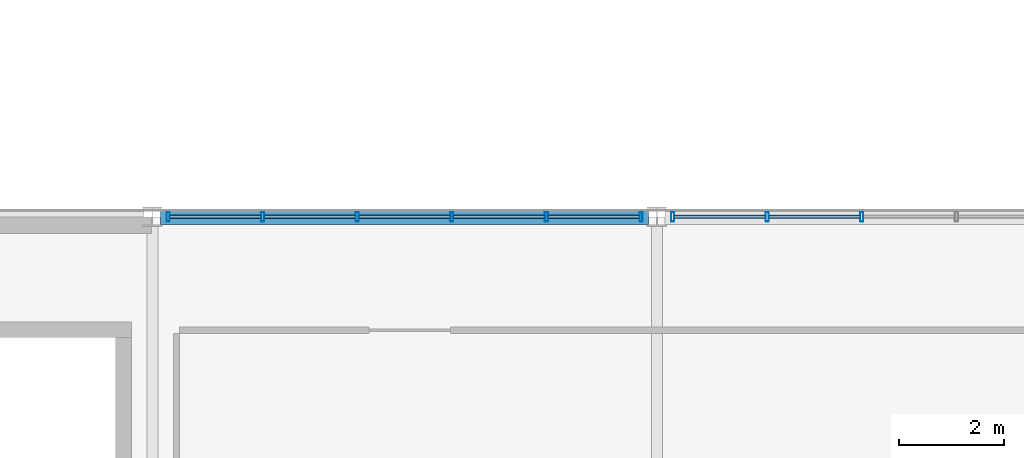
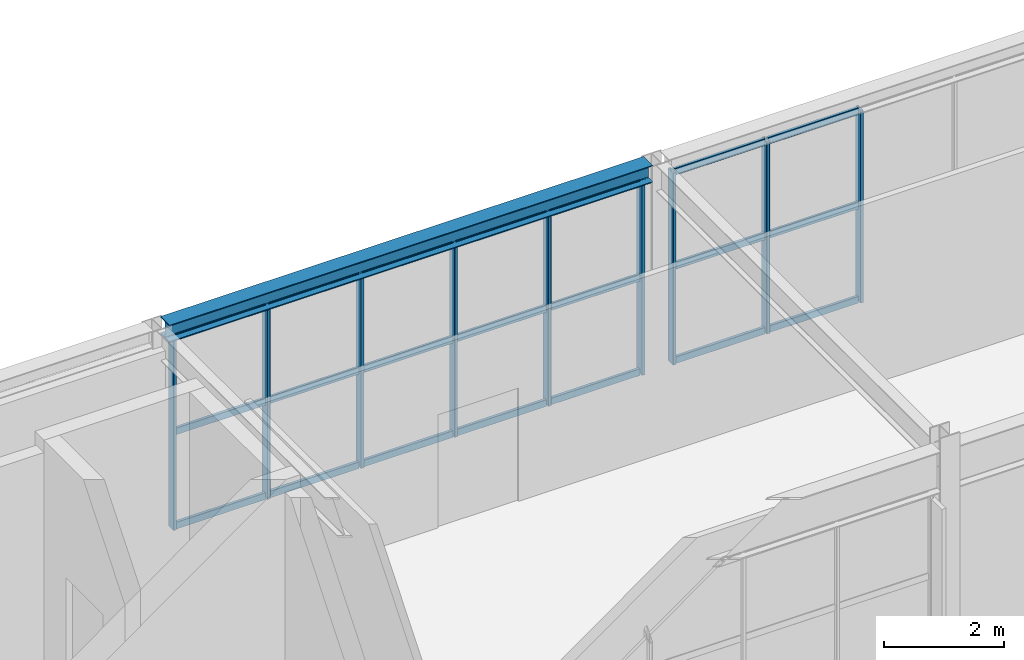
# One storey, part 77 of 170: 30 members, 1 beam, 2 elements without a shape of their own.
"""IFC4 building model written with IfcOpenShell, lengths in metres."""

from ifc_helpers import new_model, si_unit, direction, frame, origin, origin_2d, place, context, subcontext, project, spatial, hollow_rectangle, i_section, extrude, material, material_profile, profile_set, type_object, element, aggregate, save


model = new_model("IFC4")

# Units and contexts
model_context = context("Model", 3, precision=1e-05, world=origin(), true_north=direction((0.0, 1.0)))
body_context = subcontext(model_context, "Body", "Model", "MODEL_VIEW")
ifc_project = project(units=[si_unit("LENGTHUNIT", "METRE"), si_unit("AREAUNIT", "SQUARE_METRE"), si_unit("VOLUMEUNIT", "CUBIC_METRE"), si_unit("PLANEANGLEUNIT", "RADIAN"), si_unit("MASSUNIT", "GRAM", prefix="KILO")], contexts=[model_context])

# Site, building, storey
site_placement = place(None, origin())
site = spatial("IfcSite", under=ifc_project, at=site_placement, CompositionType="ELEMENT")
building_placement = place(site_placement, origin())
building = spatial("IfcBuilding", under=site, at=building_placement, Name="Coralgate Yard Interchange", CompositionType="ELEMENT")
storey_placement = place(building_placement, frame((0.0, 0.0, 6.0)))
storey = spatial("IfcBuildingStorey", under=building, at=storey_placement, Name="L01", CompositionType="ELEMENT", Elevation=6.0)

# Beam
ifc_material_1 = material(Name="Structural steel S355J2", Category="steel")
ifc_material_profile_1 = material_profile(ifc_material_1, i_section(OverallWidth=0.300048828125, OverallDepth=0.35009765625, WebThickness=0.010009765625, FlangeThickness=0.017578125, FilletRadius=0.027099609375, at=origin_2d()), Name="HEA 360")
ifc_profile_set_1 = profile_set([ifc_material_profile_1], Name="Structural steel S355J2")
beam_type = type_object("IfcBeamType", Name="BM-SP-1", PredefinedType="SPANDREL", material=ifc_profile_set_1)
beam_placement = place(storey_placement, frame((96.15625, 48.0, 4.074951171875), z_axis=(1.0, 0.0, 0.0), x_axis=(0.0, 1.0, 0.0)))
element("IfcBeam", 1, at=beam_placement, inside=storey, type_object=beam_type, Name="L01 primary grid beam Y5 X10-11", PredefinedType="SPANDREL", context=body_context, shape_type="SweptSolid", body=[
    extrude(i_section(OverallWidth=0.300048828125, OverallDepth=0.35009765625, WebThickness=0.010009765625, FlangeThickness=0.017578125, FilletRadius=0.027099609375, at=origin_2d()), origin(), (0.0, 0.0, 1.0), 9.287353515625),
])

# Curtain wall, members
ifc_material_2 = material(Name="Anodised coastal aluminium and solar-control low-E glass", Category="aluminium")
curtain_wall_type = type_object("IfcCurtainWallType", Name="CW-CW-L01-B", PredefinedType="NOTDEFINED", material=ifc_material_2)
curtain_wall_1_placement = place(storey_placement, origin())
curtain_wall_1 = element("IfcCurtainWall", 2, at=curtain_wall_1_placement, inside=storey, type_object=curtain_wall_type, Name="L01 unitised curtain wall CW-L01-N-10-04", PredefinedType="NOTDEFINED")
ifc_material_3 = material(Name="Anodised coastal aluminium 6063-T6", Category="aluminium")
ifc_material_profile_2 = material_profile(ifc_material_3, hollow_rectangle(XDim=0.06005859375, YDim=0.179931640625, WallThickness=0.00390625, InnerFilletRadius=0.00390625, OuterFilletRadius=0.008056640625, at=origin_2d()), Name="ALU 60x180x4")
ifc_profile_set_2 = profile_set([ifc_material_profile_2], Name="Anodised coastal aluminium 6063-T6")
member_type_1 = type_object("IfcMemberType", Name="MB-MUL-180", PredefinedType="MULLION", material=ifc_profile_set_2)
member_1_placement = place(storey_placement, frame((96.300048828125, 48.0, 0.0), z_axis=(0.0, 0.0, 1.0), x_axis=(1.0, 0.0, 0.0)))
member_1 = element("IfcMember", 3, at=member_1_placement, type_object=member_type_1, Name="CW-L01-N-10-04 vertical mullion 1", PredefinedType="MULLION", context=body_context, shape_type="SweptSolid", body=[
    extrude(hollow_rectangle(XDim=0.06005859375, YDim=0.179931640625, WallThickness=0.00390625, InnerFilletRadius=0.00390625, OuterFilletRadius=0.008056640625, at=origin_2d()), origin(), (0.0, 0.0, 1.0), 3.89990234375),
])
member_2_placement = place(storey_placement, frame((98.10009765625, 48.0, 0.0), z_axis=(0.0, 0.0, 1.0), x_axis=(1.0, 0.0, 0.0)))
member_2 = element("IfcMember", 4, at=member_2_placement, type_object=member_type_1, Name="CW-L01-N-10-04 vertical mullion 2", PredefinedType="MULLION", context=body_context, shape_type="SweptSolid", body=[
    extrude(hollow_rectangle(XDim=0.06005859375, YDim=0.179931640625, WallThickness=0.00390625, InnerFilletRadius=0.00390625, OuterFilletRadius=0.008056640625, at=origin_2d()), origin(), (0.0, 0.0, 1.0), 3.89990234375),
])
member_3_placement = place(storey_placement, frame((99.89990234375, 48.0, 0.0), z_axis=(0.0, 0.0, 1.0), x_axis=(1.0, 0.0, 0.0)))
member_3 = element("IfcMember", 5, at=member_3_placement, type_object=member_type_1, Name="CW-L01-N-10-04 vertical mullion 3", PredefinedType="MULLION", context=body_context, shape_type="SweptSolid", body=[
    extrude(hollow_rectangle(XDim=0.06005859375, YDim=0.179931640625, WallThickness=0.00390625, InnerFilletRadius=0.00390625, OuterFilletRadius=0.008056640625, at=origin_2d()), origin(), (0.0, 0.0, 1.0), 3.89990234375),
])
member_4_placement = place(storey_placement, frame((101.699951171875, 48.0, 0.0), z_axis=(0.0, 0.0, 1.0), x_axis=(1.0, 0.0, 0.0)))
member_4 = element("IfcMember", 6, at=member_4_placement, type_object=member_type_1, Name="CW-L01-N-10-04 vertical mullion 4", PredefinedType="MULLION", context=body_context, shape_type="SweptSolid", body=[
    extrude(hollow_rectangle(XDim=0.06005859375, YDim=0.179931640625, WallThickness=0.00390625, InnerFilletRadius=0.00390625, OuterFilletRadius=0.008056640625, at=origin_2d()), origin(), (0.0, 0.0, 1.0), 3.89990234375),
])
member_5_placement = place(storey_placement, frame((103.5, 48.0, 0.0), z_axis=(0.0, 0.0, 1.0), x_axis=(1.0, 0.0, 0.0)))
member_5 = element("IfcMember", 7, at=member_5_placement, type_object=member_type_1, Name="CW-L01-N-10-04 vertical mullion 5", PredefinedType="MULLION", context=body_context, shape_type="SweptSolid", body=[
    extrude(hollow_rectangle(XDim=0.06005859375, YDim=0.179931640625, WallThickness=0.00390625, InnerFilletRadius=0.00390625, OuterFilletRadius=0.008056640625, at=origin_2d()), origin(), (0.0, 0.0, 1.0), 3.89990234375),
])
member_6_placement = place(storey_placement, frame((105.300048828125, 48.0, 0.0), z_axis=(0.0, 0.0, 1.0), x_axis=(1.0, 0.0, 0.0)))
member_6 = element("IfcMember", 8, at=member_6_placement, type_object=member_type_1, Name="CW-L01-N-10-04 vertical mullion 6", PredefinedType="MULLION", context=body_context, shape_type="SweptSolid", body=[
    extrude(hollow_rectangle(XDim=0.06005859375, YDim=0.179931640625, WallThickness=0.00390625, InnerFilletRadius=0.00390625, OuterFilletRadius=0.008056640625, at=origin_2d()), origin(), (0.0, 0.0, 1.0), 3.89990234375),
])

curtain_wall_2_placement = place(storey_placement, origin())
curtain_wall_2 = element("IfcCurtainWall", 9, at=curtain_wall_2_placement, inside=storey, type_object=curtain_wall_type, Name="L01 unitised curtain wall CW-L01-N-11-04", PredefinedType="NOTDEFINED")
member_7_placement = place(storey_placement, frame((105.89990234375, 48.0, 0.0), z_axis=(0.0, 0.0, 1.0), x_axis=(1.0, 0.0, 0.0)))
member_7 = element("IfcMember", 10, at=member_7_placement, type_object=member_type_1, Name="CW-L01-N-11-04 vertical mullion 1", PredefinedType="MULLION", context=body_context, shape_type="SweptSolid", body=[
    extrude(hollow_rectangle(XDim=0.06005859375, YDim=0.179931640625, WallThickness=0.00390625, InnerFilletRadius=0.00390625, OuterFilletRadius=0.008056640625, at=origin_2d()), origin(), (0.0, 0.0, 1.0), 3.89990234375),
])
member_8_placement = place(storey_placement, frame((107.699951171875, 48.0, 0.0), z_axis=(0.0, 0.0, 1.0), x_axis=(1.0, 0.0, 0.0)))
member_8 = element("IfcMember", 11, at=member_8_placement, type_object=member_type_1, Name="CW-L01-N-11-04 vertical mullion 2", PredefinedType="MULLION", context=body_context, shape_type="SweptSolid", body=[
    extrude(hollow_rectangle(XDim=0.06005859375, YDim=0.179931640625, WallThickness=0.00390625, InnerFilletRadius=0.00390625, OuterFilletRadius=0.008056640625, at=origin_2d()), origin(), (0.0, 0.0, 1.0), 3.89990234375),
])
member_9_placement = place(storey_placement, frame((109.5, 48.0, 0.0), z_axis=(0.0, 0.0, 1.0), x_axis=(1.0, 0.0, 0.0)))
member_9 = element("IfcMember", 12, at=member_9_placement, type_object=member_type_1, Name="CW-L01-N-11-04 vertical mullion 3", PredefinedType="MULLION", context=body_context, shape_type="SweptSolid", body=[
    extrude(hollow_rectangle(XDim=0.06005859375, YDim=0.179931640625, WallThickness=0.00390625, InnerFilletRadius=0.00390625, OuterFilletRadius=0.008056640625, at=origin_2d()), origin(), (0.0, 0.0, 1.0), 3.89990234375),
])

# Member
ifc_material_profile_3 = material_profile(ifc_material_3, hollow_rectangle(XDim=0.06005859375, YDim=0.139892578125, WallThickness=0.00341796875, InnerFilletRadius=0.00341796875, OuterFilletRadius=0.007080078125, at=origin_2d()), Name="ALU 60x140x3.5")
ifc_profile_set_3 = profile_set([ifc_material_profile_3], Name="Anodised coastal aluminium 6063-T6")
member_type_2 = type_object("IfcMemberType", Name="MB-TRN-140", PredefinedType="USERDEFINED", material=ifc_profile_set_3)
member_10_placement = place(storey_placement, frame((96.330078125, 48.0, 0.034912109375), z_axis=(1.0, 0.0, 0.0), x_axis=(0.0, 1.0, 0.0)))
member_10 = element("IfcMember", 13, at=member_10_placement, type_object=member_type_2, Name="CW-L01-N-10-04 horizontal transom 1-1", ObjectType="TRANSOM", PredefinedType="USERDEFINED", context=body_context, shape_type="SweptSolid", body=[
    extrude(hollow_rectangle(XDim=0.06005859375, YDim=0.139892578125, WallThickness=0.00341796875, InnerFilletRadius=0.00341796875, OuterFilletRadius=0.007080078125, at=origin_2d()), origin(), (0.0, 0.0, 1.0), 1.739990234375),
])

member_11_placement = place(storey_placement, frame((96.330078125, 48.0, 1.949951171875), z_axis=(1.0, 0.0, 0.0), x_axis=(0.0, 1.0, 0.0)))
member_11 = element("IfcMember", 14, at=member_11_placement, type_object=member_type_2, Name="CW-L01-N-10-04 horizontal transom 1-2", ObjectType="TRANSOM", PredefinedType="USERDEFINED", context=body_context, shape_type="SweptSolid", body=[
    extrude(hollow_rectangle(XDim=0.06005859375, YDim=0.139892578125, WallThickness=0.00341796875, InnerFilletRadius=0.00341796875, OuterFilletRadius=0.007080078125, at=origin_2d()), origin(), (0.0, 0.0, 1.0), 1.739990234375),
])

member_12_placement = place(storey_placement, frame((96.330078125, 48.0, 3.864990234375), z_axis=(1.0, 0.0, 0.0), x_axis=(0.0, 1.0, 0.0)))
member_12 = element("IfcMember", 15, at=member_12_placement, type_object=member_type_2, Name="CW-L01-N-10-04 horizontal transom 1-3", ObjectType="TRANSOM", PredefinedType="USERDEFINED", context=body_context, shape_type="SweptSolid", body=[
    extrude(hollow_rectangle(XDim=0.06005859375, YDim=0.139892578125, WallThickness=0.00341796875, InnerFilletRadius=0.00341796875, OuterFilletRadius=0.007080078125, at=origin_2d()), origin(), (0.0, 0.0, 1.0), 1.739990234375),
])

member_13_placement = place(storey_placement, frame((98.1298828125, 48.0, 0.034912109375), z_axis=(1.0, 0.0, 0.0), x_axis=(0.0, 1.0, 0.0)))
member_13 = element("IfcMember", 16, at=member_13_placement, type_object=member_type_2, Name="CW-L01-N-10-04 horizontal transom 2-1", ObjectType="TRANSOM", PredefinedType="USERDEFINED", context=body_context, shape_type="SweptSolid", body=[
    extrude(hollow_rectangle(XDim=0.06005859375, YDim=0.139892578125, WallThickness=0.00341796875, InnerFilletRadius=0.00341796875, OuterFilletRadius=0.007080078125, at=origin_2d()), origin(), (0.0, 0.0, 1.0), 1.740234375),
])

member_14_placement = place(storey_placement, frame((98.1298828125, 48.0, 1.949951171875), z_axis=(1.0, 0.0, 0.0), x_axis=(0.0, 1.0, 0.0)))
member_14 = element("IfcMember", 17, at=member_14_placement, type_object=member_type_2, Name="CW-L01-N-10-04 horizontal transom 2-2", ObjectType="TRANSOM", PredefinedType="USERDEFINED", context=body_context, shape_type="SweptSolid", body=[
    extrude(hollow_rectangle(XDim=0.06005859375, YDim=0.139892578125, WallThickness=0.00341796875, InnerFilletRadius=0.00341796875, OuterFilletRadius=0.007080078125, at=origin_2d()), origin(), (0.0, 0.0, 1.0), 1.740234375),
])

member_15_placement = place(storey_placement, frame((98.1298828125, 48.0, 3.864990234375), z_axis=(1.0, 0.0, 0.0), x_axis=(0.0, 1.0, 0.0)))
member_15 = element("IfcMember", 18, at=member_15_placement, type_object=member_type_2, Name="CW-L01-N-10-04 horizontal transom 2-3", ObjectType="TRANSOM", PredefinedType="USERDEFINED", context=body_context, shape_type="SweptSolid", body=[
    extrude(hollow_rectangle(XDim=0.06005859375, YDim=0.139892578125, WallThickness=0.00341796875, InnerFilletRadius=0.00341796875, OuterFilletRadius=0.007080078125, at=origin_2d()), origin(), (0.0, 0.0, 1.0), 1.740234375),
])

member_16_placement = place(storey_placement, frame((99.929931640625, 48.0, 0.034912109375), z_axis=(1.0, 0.0, 0.0), x_axis=(0.0, 1.0, 0.0)))
member_16 = element("IfcMember", 19, at=member_16_placement, type_object=member_type_2, Name="CW-L01-N-10-04 horizontal transom 3-1", ObjectType="TRANSOM", PredefinedType="USERDEFINED", context=body_context, shape_type="SweptSolid", body=[
    extrude(hollow_rectangle(XDim=0.06005859375, YDim=0.139892578125, WallThickness=0.00341796875, InnerFilletRadius=0.00341796875, OuterFilletRadius=0.007080078125, at=origin_2d()), origin(), (0.0, 0.0, 1.0), 1.739990234375),
])

member_17_placement = place(storey_placement, frame((99.929931640625, 48.0, 1.949951171875), z_axis=(1.0, 0.0, 0.0), x_axis=(0.0, 1.0, 0.0)))
member_17 = element("IfcMember", 20, at=member_17_placement, type_object=member_type_2, Name="CW-L01-N-10-04 horizontal transom 3-2", ObjectType="TRANSOM", PredefinedType="USERDEFINED", context=body_context, shape_type="SweptSolid", body=[
    extrude(hollow_rectangle(XDim=0.06005859375, YDim=0.139892578125, WallThickness=0.00341796875, InnerFilletRadius=0.00341796875, OuterFilletRadius=0.007080078125, at=origin_2d()), origin(), (0.0, 0.0, 1.0), 1.739990234375),
])

member_18_placement = place(storey_placement, frame((99.929931640625, 48.0, 3.864990234375), z_axis=(1.0, 0.0, 0.0), x_axis=(0.0, 1.0, 0.0)))
member_18 = element("IfcMember", 21, at=member_18_placement, type_object=member_type_2, Name="CW-L01-N-10-04 horizontal transom 3-3", ObjectType="TRANSOM", PredefinedType="USERDEFINED", context=body_context, shape_type="SweptSolid", body=[
    extrude(hollow_rectangle(XDim=0.06005859375, YDim=0.139892578125, WallThickness=0.00341796875, InnerFilletRadius=0.00341796875, OuterFilletRadius=0.007080078125, at=origin_2d()), origin(), (0.0, 0.0, 1.0), 1.739990234375),
])

member_19_placement = place(storey_placement, frame((101.72998046875, 48.0, 0.034912109375), z_axis=(1.0, 0.0, 0.0), x_axis=(0.0, 1.0, 0.0)))
member_19 = element("IfcMember", 22, at=member_19_placement, type_object=member_type_2, Name="CW-L01-N-10-04 horizontal transom 4-1", ObjectType="TRANSOM", PredefinedType="USERDEFINED", context=body_context, shape_type="SweptSolid", body=[
    extrude(hollow_rectangle(XDim=0.06005859375, YDim=0.139892578125, WallThickness=0.00341796875, InnerFilletRadius=0.00341796875, OuterFilletRadius=0.007080078125, at=origin_2d()), origin(), (0.0, 0.0, 1.0), 1.739990234375),
])

member_20_placement = place(storey_placement, frame((101.72998046875, 48.0, 1.949951171875), z_axis=(1.0, 0.0, 0.0), x_axis=(0.0, 1.0, 0.0)))
member_20 = element("IfcMember", 23, at=member_20_placement, type_object=member_type_2, Name="CW-L01-N-10-04 horizontal transom 4-2", ObjectType="TRANSOM", PredefinedType="USERDEFINED", context=body_context, shape_type="SweptSolid", body=[
    extrude(hollow_rectangle(XDim=0.06005859375, YDim=0.139892578125, WallThickness=0.00341796875, InnerFilletRadius=0.00341796875, OuterFilletRadius=0.007080078125, at=origin_2d()), origin(), (0.0, 0.0, 1.0), 1.739990234375),
])

member_21_placement = place(storey_placement, frame((101.72998046875, 48.0, 3.864990234375), z_axis=(1.0, 0.0, 0.0), x_axis=(0.0, 1.0, 0.0)))
member_21 = element("IfcMember", 24, at=member_21_placement, type_object=member_type_2, Name="CW-L01-N-10-04 horizontal transom 4-3", ObjectType="TRANSOM", PredefinedType="USERDEFINED", context=body_context, shape_type="SweptSolid", body=[
    extrude(hollow_rectangle(XDim=0.06005859375, YDim=0.139892578125, WallThickness=0.00341796875, InnerFilletRadius=0.00341796875, OuterFilletRadius=0.007080078125, at=origin_2d()), origin(), (0.0, 0.0, 1.0), 1.739990234375),
])

member_22_placement = place(storey_placement, frame((103.530029296875, 48.0, 0.034912109375), z_axis=(1.0, 0.0, 0.0), x_axis=(0.0, 1.0, 0.0)))
member_22 = element("IfcMember", 25, at=member_22_placement, type_object=member_type_2, Name="CW-L01-N-10-04 horizontal transom 5-1", ObjectType="TRANSOM", PredefinedType="USERDEFINED", context=body_context, shape_type="SweptSolid", body=[
    extrude(hollow_rectangle(XDim=0.06005859375, YDim=0.139892578125, WallThickness=0.00341796875, InnerFilletRadius=0.00341796875, OuterFilletRadius=0.007080078125, at=origin_2d()), origin(), (0.0, 0.0, 1.0), 1.739990234375),
])

member_23_placement = place(storey_placement, frame((103.530029296875, 48.0, 1.949951171875), z_axis=(1.0, 0.0, 0.0), x_axis=(0.0, 1.0, 0.0)))
member_23 = element("IfcMember", 26, at=member_23_placement, type_object=member_type_2, Name="CW-L01-N-10-04 horizontal transom 5-2", ObjectType="TRANSOM", PredefinedType="USERDEFINED", context=body_context, shape_type="SweptSolid", body=[
    extrude(hollow_rectangle(XDim=0.06005859375, YDim=0.139892578125, WallThickness=0.00341796875, InnerFilletRadius=0.00341796875, OuterFilletRadius=0.007080078125, at=origin_2d()), origin(), (0.0, 0.0, 1.0), 1.739990234375),
])

member_24_placement = place(storey_placement, frame((103.530029296875, 48.0, 3.864990234375), z_axis=(1.0, 0.0, 0.0), x_axis=(0.0, 1.0, 0.0)))
member_24 = element("IfcMember", 27, at=member_24_placement, type_object=member_type_2, Name="CW-L01-N-10-04 horizontal transom 5-3", ObjectType="TRANSOM", PredefinedType="USERDEFINED", context=body_context, shape_type="SweptSolid", body=[
    extrude(hollow_rectangle(XDim=0.06005859375, YDim=0.139892578125, WallThickness=0.00341796875, InnerFilletRadius=0.00341796875, OuterFilletRadius=0.007080078125, at=origin_2d()), origin(), (0.0, 0.0, 1.0), 1.739990234375),
])

aggregate(curtain_wall_1, [member_1, member_2, member_3, member_4, member_5, member_6, member_10, member_11, member_12, member_13, member_14, member_15, member_16, member_17, member_18, member_19, member_20, member_21, member_22, member_23, member_24])

member_25_placement = place(storey_placement, frame((105.929931640625, 48.0, 0.034912109375), z_axis=(1.0, 0.0, 0.0), x_axis=(0.0, 1.0, 0.0)))
member_25 = element("IfcMember", 28, at=member_25_placement, type_object=member_type_2, Name="CW-L01-N-11-04 horizontal transom 1-1", ObjectType="TRANSOM", PredefinedType="USERDEFINED", context=body_context, shape_type="SweptSolid", body=[
    extrude(hollow_rectangle(XDim=0.06005859375, YDim=0.139892578125, WallThickness=0.00341796875, InnerFilletRadius=0.00341796875, OuterFilletRadius=0.007080078125, at=origin_2d()), origin(), (0.0, 0.0, 1.0), 1.739990234375),
])

member_26_placement = place(storey_placement, frame((105.929931640625, 48.0, 1.949951171875), z_axis=(1.0, 0.0, 0.0), x_axis=(0.0, 1.0, 0.0)))
member_26 = element("IfcMember", 29, at=member_26_placement, type_object=member_type_2, Name="CW-L01-N-11-04 horizontal transom 1-2", ObjectType="TRANSOM", PredefinedType="USERDEFINED", context=body_context, shape_type="SweptSolid", body=[
    extrude(hollow_rectangle(XDim=0.06005859375, YDim=0.139892578125, WallThickness=0.00341796875, InnerFilletRadius=0.00341796875, OuterFilletRadius=0.007080078125, at=origin_2d()), origin(), (0.0, 0.0, 1.0), 1.739990234375),
])

member_27_placement = place(storey_placement, frame((105.929931640625, 48.0, 3.864990234375), z_axis=(1.0, 0.0, 0.0), x_axis=(0.0, 1.0, 0.0)))
member_27 = element("IfcMember", 30, at=member_27_placement, type_object=member_type_2, Name="CW-L01-N-11-04 horizontal transom 1-3", ObjectType="TRANSOM", PredefinedType="USERDEFINED", context=body_context, shape_type="SweptSolid", body=[
    extrude(hollow_rectangle(XDim=0.06005859375, YDim=0.139892578125, WallThickness=0.00341796875, InnerFilletRadius=0.00341796875, OuterFilletRadius=0.007080078125, at=origin_2d()), origin(), (0.0, 0.0, 1.0), 1.739990234375),
])

member_28_placement = place(storey_placement, frame((107.72998046875, 48.0, 0.034912109375), z_axis=(1.0, 0.0, 0.0), x_axis=(0.0, 1.0, 0.0)))
member_28 = element("IfcMember", 31, at=member_28_placement, type_object=member_type_2, Name="CW-L01-N-11-04 horizontal transom 2-1", ObjectType="TRANSOM", PredefinedType="USERDEFINED", context=body_context, shape_type="SweptSolid", body=[
    extrude(hollow_rectangle(XDim=0.06005859375, YDim=0.139892578125, WallThickness=0.00341796875, InnerFilletRadius=0.00341796875, OuterFilletRadius=0.007080078125, at=origin_2d()), origin(), (0.0, 0.0, 1.0), 1.739990234375),
])

member_29_placement = place(storey_placement, frame((107.72998046875, 48.0, 1.949951171875), z_axis=(1.0, 0.0, 0.0), x_axis=(0.0, 1.0, 0.0)))
member_29 = element("IfcMember", 32, at=member_29_placement, type_object=member_type_2, Name="CW-L01-N-11-04 horizontal transom 2-2", ObjectType="TRANSOM", PredefinedType="USERDEFINED", context=body_context, shape_type="SweptSolid", body=[
    extrude(hollow_rectangle(XDim=0.06005859375, YDim=0.139892578125, WallThickness=0.00341796875, InnerFilletRadius=0.00341796875, OuterFilletRadius=0.007080078125, at=origin_2d()), origin(), (0.0, 0.0, 1.0), 1.739990234375),
])

member_30_placement = place(storey_placement, frame((107.72998046875, 48.0, 3.864990234375), z_axis=(1.0, 0.0, 0.0), x_axis=(0.0, 1.0, 0.0)))
member_30 = element("IfcMember", 33, at=member_30_placement, type_object=member_type_2, Name="CW-L01-N-11-04 horizontal transom 2-3", ObjectType="TRANSOM", PredefinedType="USERDEFINED", context=body_context, shape_type="SweptSolid", body=[
    extrude(hollow_rectangle(XDim=0.06005859375, YDim=0.139892578125, WallThickness=0.00341796875, InnerFilletRadius=0.00341796875, OuterFilletRadius=0.007080078125, at=origin_2d()), origin(), (0.0, 0.0, 1.0), 1.739990234375),
])

aggregate(curtain_wall_2, [member_7, member_8, member_9, member_25, member_26, member_27, member_28, member_29, member_30])

save(model, "model.ifc")
